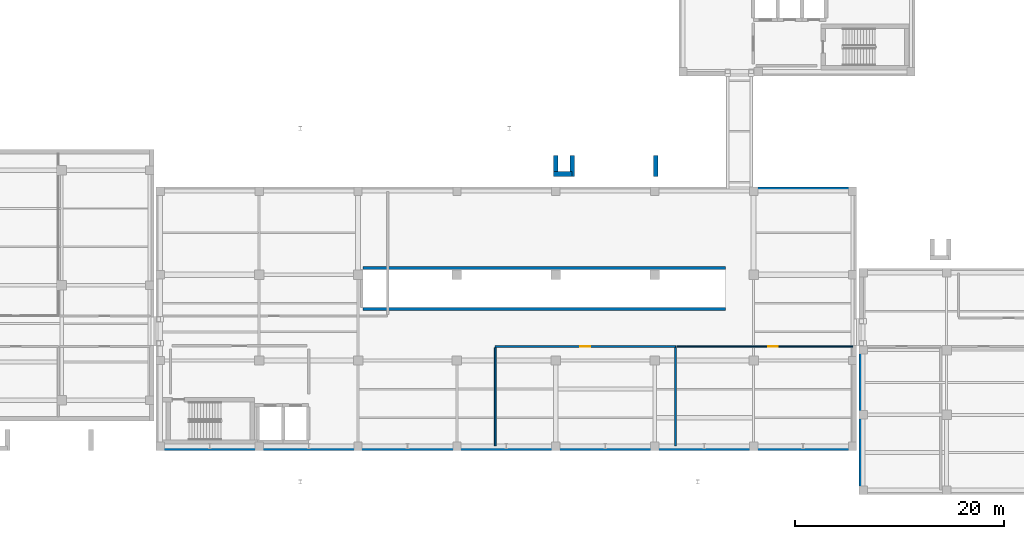
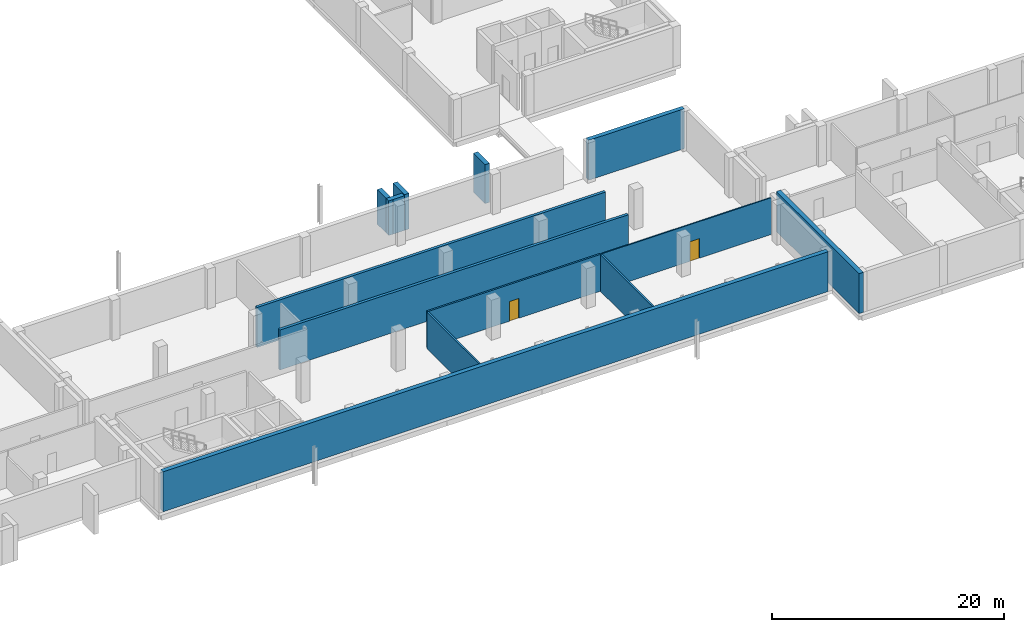
# One storey, part 17 of 31: 13 walls, 2 doors, 2 openings.
"""IFC4 building model written with IfcOpenShell, lengths in metres."""

from ifc_helpers import new_model, si_unit, direction, frame, frame_2d, origin, place, context, subcontext, project, spatial, rectangle, extrude, material, layer, layer_set, type_object, element, fill, save


model = new_model("IFC4")

# Units and contexts
model_context = context("Model", 3, precision=1e-05, world=origin(), true_north=direction((0.0, 1.0)))
body_context = subcontext(model_context, "Body", "Model", "MODEL_VIEW")
ifc_project = project(units=[si_unit("LENGTHUNIT", "METRE"), si_unit("AREAUNIT", "SQUARE_METRE"), si_unit("VOLUMEUNIT", "CUBIC_METRE"), si_unit("PLANEANGLEUNIT", "RADIAN"), si_unit("MASSUNIT", "GRAM", prefix="KILO")], contexts=[model_context])

# Site, building, storey
site_placement = place(None, origin())
site = spatial("IfcSite", under=ifc_project, at=site_placement, CompositionType="ELEMENT")
building_placement = place(site_placement, origin())
building = spatial("IfcBuilding", under=site, at=building_placement, Name="Qalavern Law Courts", CompositionType="ELEMENT")
storey_placement = place(building_placement, frame((0.0, 0.0, -4.199951171875)))
storey = spatial("IfcBuildingStorey", under=building, at=storey_placement, Name="B1", CompositionType="ELEMENT", Elevation=-4.199951171875)

# Walls
ifc_material_1 = material(Name="Concrete C35/45", Category="concrete")
ifc_layer_1 = layer(ifc_material_1, 0.429931640625)
ifc_layer_set_1 = layer_set([ifc_layer_1], Name="Concrete C35/45")
wall_type_1 = type_object("IfcWallType", Name="ENV-EW-RET430", PredefinedType="SOLIDWALL", material=ifc_layer_set_1)
wall_1_placement = place(storey_placement, frame((34.64501953125, 5.4150390625, 0.0), z_axis=(0.0, 0.0, 1.0), x_axis=(1.0, 0.0, 0.0)))
element("IfcWall", 1, at=wall_1_placement, inside=storey, type_object=wall_type_1, Name="V2 basement retaining wall B1 south", PredefinedType="SOLIDWALL", context=body_context, shape_type="SweptSolid", body=[
    extrude(rectangle(XDim=66.1298828125, YDim=0.429931640625, at=frame_2d((33.06494140625, 0.0))), origin(), (0.0, 0.0, 1.0), 4.199951171875),
])
wall_2_placement = place(storey_placement, frame((100.77490234375, 30.18505859375, 0.0), z_axis=(0.0, 0.0, 1.0), x_axis=(-1.0, 0.0, 0.0)))
element("IfcWall", 2, at=wall_2_placement, inside=storey, type_object=wall_type_1, Name="V2 basement retaining wall B1 north", PredefinedType="SOLIDWALL", context=body_context, shape_type="SweptSolid", body=[
    extrude(rectangle(XDim=9.52490234375, YDim=0.429931640625, at=frame_2d((4.762451171875, 0.0))), origin(), (0.0, 0.0, 1.0), 4.199951171875),
])
wall_3_placement = place(storey_placement, frame((101.635009765625, 15.25, 0.0), z_axis=(0.0, 0.0, 1.0), x_axis=(0.0, -1.0, 0.0)))
element("IfcWall", 3, at=wall_3_placement, inside=storey, type_object=wall_type_1, Name="V6 basement retaining wall B1 west", PredefinedType="SOLIDWALL", context=body_context, shape_type="SweptSolid", body=[
    extrude(rectangle(XDim=14.25, YDim=0.429931640625, at=frame_2d((7.125, 0.0))), origin(), (0.0, 0.0, 1.0), 4.199951171875),
])

# Wall, opening, door
ifc_material_2 = material(Name="Gypsum stud partition")
ifc_layer_2 = layer(ifc_material_2, 0.1220703125)
ifc_layer_set_2 = layer_set([ifc_layer_2], Name="Gypsum stud partition")
wall_type_2 = type_object("IfcWallType", Name="INT-PW-122", PredefinedType="PARTITIONING", material=ifc_layer_set_2)
wall_4_placement = place(storey_placement, frame((84.00390625, 15.139892578125, 0.0), z_axis=(0.0, 0.0, 1.0), x_axis=(1.0, 0.0, 0.0)))
wall_4 = element("IfcWall", 4, at=wall_4_placement, inside=storey, type_object=wall_type_2, Name="Accessible WC corridor partition B1", PredefinedType="PARTITIONING", context=body_context, shape_type="SweptSolid", body=[
    extrude(rectangle(XDim=16.816162109375, YDim=0.1220703125, at=frame_2d((8.408203125, 0.0))), origin(), (0.0, 0.0, 1.0), 3.85986328125),
])
opening_1_placement = place(wall_4_placement, frame((8.748046875, 0.0, 0.0)))
opening_1 = element("IfcOpeningElement", 5, at=opening_1_placement, cuts=wall_4, Name="Opening B1-D150", PredefinedType="OPENING", context=body_context, shape_type="SweptSolid", body=[
    extrude(rectangle(XDim=0.919921875, YDim=2.06005859375, at=frame_2d((0.4599609375, 1.030029296875))), frame((0.0, 0.075927734375, 0.0), z_axis=(0.0, -1.0, 0.0), x_axis=(1.0, 0.0, 0.0)), (0.0, 0.0, 1.0), 0.15185546875),
])
ifc_material_3 = material(Name="Public and Staff WC door")
door_type_1 = type_object("IfcDoorType", Name="INT-ID-920x2060", OperationType="NOTDEFINED", PredefinedType="DOOR", material=ifc_material_3)
door_1_placement = place(opening_1_placement, frame((0.919921875, 0.0, 0.0), z_axis=(0.0, 0.0, 1.0), x_axis=(-1.0, 0.0, 0.0)))
door_1 = element("IfcDoor", 6, at=door_1_placement, inside=storey, type_object=door_type_1, Name="Accessible WC door B1", OperationType="SINGLE_SWING_LEFT", OverallHeight=2.06005859375, OverallWidth=0.919921875, PredefinedType="DOOR", context=body_context, shape_type="SweptSolid", body=[
    extrude(rectangle(XDim=0.919921875, YDim=2.06005859375, at=frame_2d((0.4599609375, 1.030029296875))), frame((0.0, 0.02490234375, 0.0), z_axis=(0.0, -1.0, 0.0), x_axis=(1.0, 0.0, 0.0)), (0.0, 0.0, 1.0), 0.050048828125),
])
fill(opening_1, door_1)

ifc_material_4 = material(Name="Gypsum acoustic stud partition")
ifc_layer_3 = layer(ifc_material_4, 0.174072265625)
ifc_layer_set_3 = layer_set([ifc_layer_3], Name="Gypsum acoustic stud partition")
wall_type_3 = type_object("IfcWallType", Name="INT-PW-174", PredefinedType="PARTITIONING", material=ifc_layer_set_3)
wall_5_placement = place(storey_placement, frame((66.637939453125, 15.139892578125, 0.0), z_axis=(0.0, 0.0, 1.0), x_axis=(1.0, 0.0, 0.0)))
wall_5 = element("IfcWall", 7, at=wall_5_placement, inside=storey, type_object=wall_type_3, Name="High-Density Legal Archive Stacks corridor partition B1", PredefinedType="PARTITIONING", context=body_context, shape_type="SweptSolid", body=[
    extrude(rectangle(XDim=17.24609375, YDim=0.174072265625, at=frame_2d((8.623046875, 0.0))), origin(), (0.0, 0.0, 1.0), 3.85986328125),
])
opening_2_placement = place(wall_5_placement, frame((8.157958984375, 0.0, 0.0)))
opening_2 = element("IfcOpeningElement", 8, at=opening_2_placement, cuts=wall_5, Name="Opening B1-D149", PredefinedType="OPENING", context=body_context, shape_type="SweptSolid", body=[
    extrude(rectangle(XDim=0.929931640625, YDim=2.080078125, at=frame_2d((0.46484375, 1.0400390625))), frame((0.0, 0.10205078125, 0.0), z_axis=(0.0, -1.0, 0.0), x_axis=(1.0, 0.0, 0.0)), (0.0, 0.0, 1.0), 0.203857421875),
])
ifc_material_5 = material(Name="Steel Legal Archive Vault door", Category="steel")
door_type_2 = type_object("IfcDoorType", Name="INT-ID-930x2080", OperationType="NOTDEFINED", PredefinedType="DOOR", material=ifc_material_5)
door_2_placement = place(opening_2_placement, frame((0.929931640625, 0.0, 0.0), z_axis=(0.0, 0.0, 1.0), x_axis=(-1.0, 0.0, 0.0)))
door_2 = element("IfcDoor", 9, at=door_2_placement, inside=storey, type_object=door_type_2, Name="High-Density Legal Archive Stacks door B1", OperationType="SINGLE_SWING_RIGHT", OverallHeight=2.080078125, OverallWidth=0.929931640625, PredefinedType="DOOR", context=body_context, shape_type="SweptSolid", body=[
    extrude(rectangle(XDim=0.929931640625, YDim=2.080078125, at=frame_2d((0.46484375, 1.0400390625))), frame((0.0, 0.02490234375, 0.0), z_axis=(0.0, -1.0, 0.0), x_axis=(1.0, 0.0, 0.0)), (0.0, 0.0, 1.0), 0.050048828125),
])
fill(opening_2, door_2)

# Walls
for number, where, z_axis, x_axis, name in (
    (10, (66.637939453125, 5.639892578125, 0.0), (0.0, 0.0, 1.0), (0.0, 1.0, 0.0), "High-Density Legal Archive Stacks cross partition B1 west"),
    (11, (83.884033203125, 5.639892578125, 0.0), (0.0, 0.0, 1.0), (0.0, 1.0, 0.0), "High-Density Legal Archive Stacks cross partition B1 east"),
):
    element("IfcWall", number, at=place(storey_placement, frame(where, z_axis=z_axis, x_axis=x_axis)), inside=storey, type_object=wall_type_3, Name=name, PredefinedType="PARTITIONING", context=body_context, shape_type="SweptSolid", body=[
        extrude(rectangle(XDim=9.39306640625, YDim=0.174072265625, at=frame_2d((4.696533203125, 0.0))), origin(), (0.0, 0.0, 1.0), 3.85986328125),
    ])
ifc_material_6 = material(Name="Concrete C40/50", Category="concrete")
ifc_layer_4 = layer(ifc_material_6, 0.280029296875)
ifc_layer_set_4 = layer_set([ifc_layer_4], Name="Concrete C40/50")
wall_type_4 = type_object("IfcWallType", Name="INT-RMP-280", PredefinedType="SOLIDWALL", material=ifc_layer_set_4)
for number, where, z_axis, x_axis, name in (
    (12, (54.0, 18.739990234375, 0.0), (0.0, 0.0, 1.0), (1.0, 0.0, 0.0), "Car Park Vehicle Ramp VG-01 Lower enclosure wall B1-1"),
    (13, (54.0, 22.659912109375, 0.0), (0.0, 0.0, 1.0), (1.0, 0.0, 0.0), "Car Park Vehicle Ramp VG-01 Lower enclosure wall B1-2"),
):
    element("IfcWall", number, at=place(storey_placement, frame(where, z_axis=z_axis, x_axis=x_axis)), inside=storey, type_object=wall_type_4, Name=name, PredefinedType="SOLIDWALL", context=body_context, shape_type="SweptSolid", body=[
        extrude(rectangle(XDim=34.64990234375, YDim=0.280029296875, at=frame_2d((17.324951171875, 0.0))), origin(), (0.0, 0.0, 1.0), 4.199951171875),
    ])
ifc_layer_5 = layer(ifc_material_1, 0.449951171875)
ifc_layer_set_5 = layer_set([ifc_layer_5], Name="Concrete C35/45")
wall_type_5 = type_object("IfcWallType", Name="STR-ABUT-450", PredefinedType="SOLIDWALL", material=ifc_layer_set_5)
wall_6_placement = place(storey_placement, frame((72.425048828125, 31.39990234375, 0.0), z_axis=(0.0, 0.0, 1.0), x_axis=(0.0, 1.0, 0.0)))
element("IfcWall", 14, at=wall_6_placement, inside=storey, type_object=wall_type_5, Name="Pedestrian ramp 3 foundation abutment wall 1 B1", PredefinedType="SOLIDWALL", context=body_context, shape_type="SweptSolid", body=[
    extrude(rectangle(XDim=2.0, YDim=0.449951171875, at=frame_2d((1.0, 0.0))), origin(), (0.0, 0.0, 1.0), 3.635009765625),
])
wall_7_placement = place(storey_placement, frame((74.0, 31.39990234375, 0.0), z_axis=(0.0, 0.0, 1.0), x_axis=(0.0, 1.0, 0.0)))
element("IfcWall", 15, at=wall_7_placement, inside=storey, type_object=wall_type_5, Name="Pedestrian ramp 3 foundation abutment wall 2 B1", PredefinedType="SOLIDWALL", context=body_context, shape_type="SweptSolid", body=[
    extrude(rectangle(XDim=2.0, YDim=0.449951171875, at=frame_2d((1.0, 0.0))), origin(), (0.0, 0.0, 1.0), 3.75),
])
wall_8_placement = place(storey_placement, frame((82.0, 31.39990234375, 0.0), z_axis=(0.0, 0.0, 1.0), x_axis=(0.0, 1.0, 0.0)))
element("IfcWall", 16, at=wall_8_placement, inside=storey, type_object=wall_type_5, Name="Pedestrian ramp 3 foundation abutment wall 3 B1", PredefinedType="SOLIDWALL", context=body_context, shape_type="SweptSolid", body=[
    extrude(rectangle(XDim=2.0, YDim=0.449951171875, at=frame_2d((1.0, 0.0))), origin(), (0.0, 0.0, 1.0), 4.099853515625),
])
wall_9_placement = place(storey_placement, frame((72.199951171875, 31.625, 0.0), z_axis=(0.0, 0.0, 1.0), x_axis=(1.0, 0.0, 0.0)))
element("IfcWall", 17, at=wall_9_placement, inside=storey, type_object=wall_type_5, Name="Pedestrian ramp 3 landing side wall B1", PredefinedType="SOLIDWALL", context=body_context, shape_type="SweptSolid", body=[
    extrude(rectangle(XDim=1.800048828125, YDim=0.449951171875, at=frame_2d((0.89990234375, 0.0))), origin(), (0.0, 0.0, 1.0), 3.635009765625),
])

save(model, "model.ifc")
